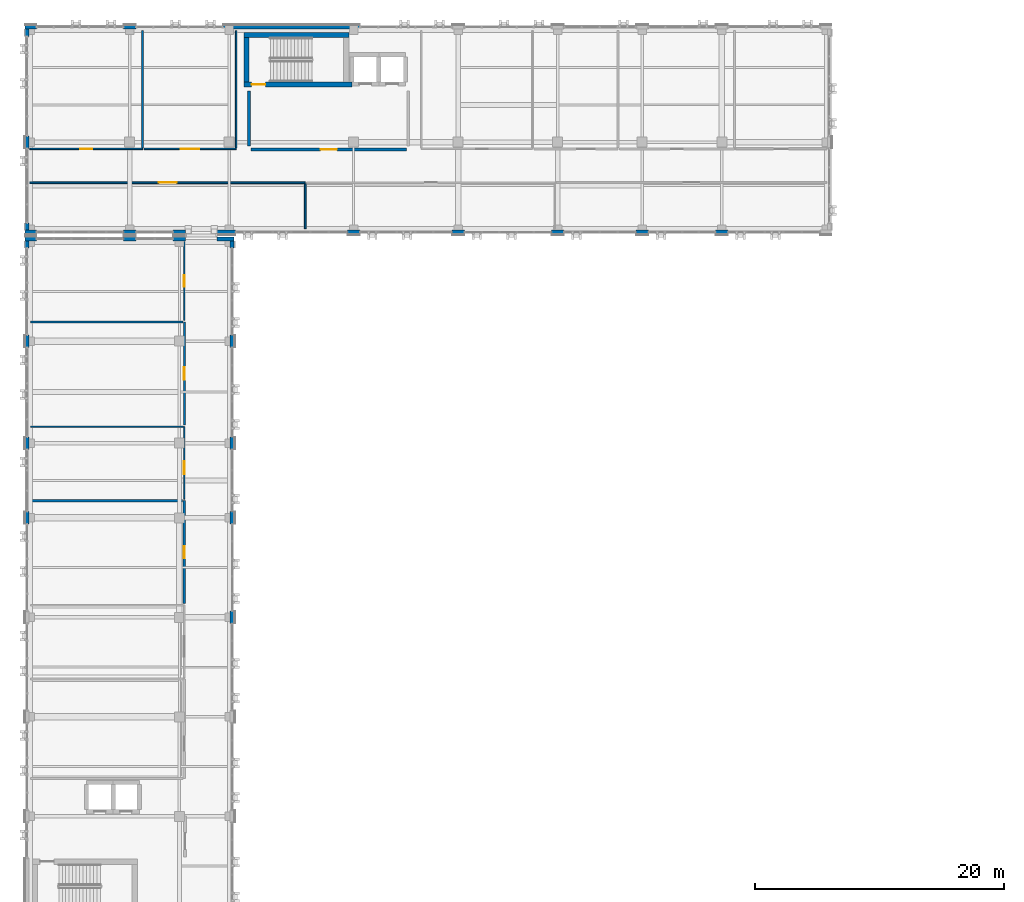
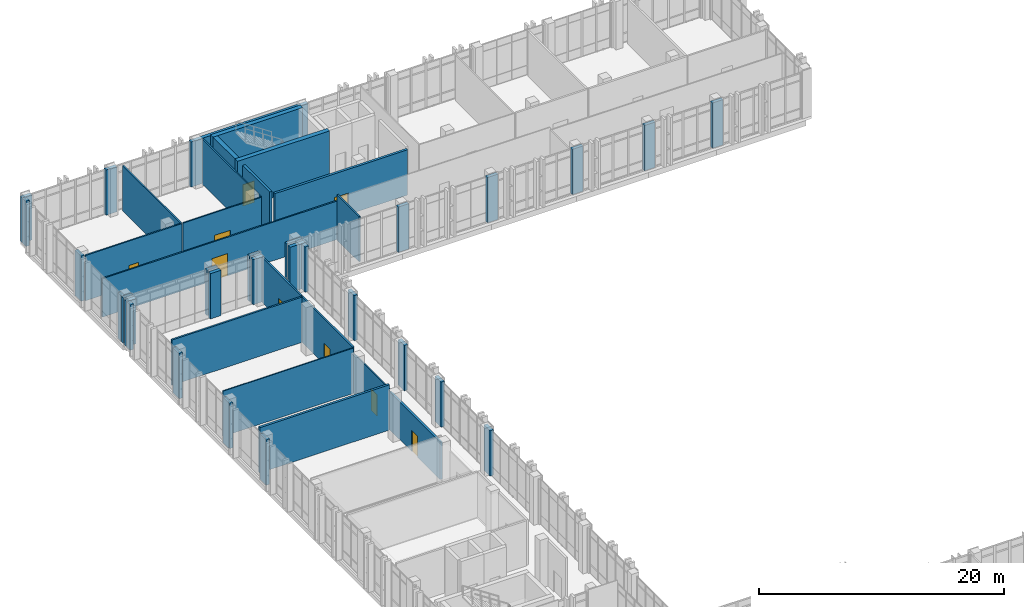
# One storey, part 156 of 189: 46 walls, 9 doors, 9 openings.
"""IFC4 building model written with IfcOpenShell, lengths in metres."""

from ifc_helpers import new_model, si_unit, direction, frame, frame_2d, origin, place, context, subcontext, project, spatial, rectangle, extrude, material, layer, layer_set, type_object, element, fill, save


model = new_model("IFC4")

# Units and contexts
model_context = context("Model", 3, precision=1e-05, world=origin(), true_north=direction((0.0, 1.0)))
body_context = subcontext(model_context, "Body", "Model", "MODEL_VIEW")
ifc_project = project(units=[si_unit("LENGTHUNIT", "METRE"), si_unit("AREAUNIT", "SQUARE_METRE"), si_unit("VOLUMEUNIT", "CUBIC_METRE"), si_unit("PLANEANGLEUNIT", "RADIAN"), si_unit("MASSUNIT", "GRAM", prefix="KILO")], contexts=[model_context])

# Site, building, storey
site_placement = place(None, origin())
site = spatial("IfcSite", under=ifc_project, at=site_placement, CompositionType="ELEMENT")
building_placement = place(site_placement, origin())
building = spatial("IfcBuilding", under=site, at=building_placement, Name="Qalavern Law Courts", CompositionType="ELEMENT")
storey_placement = place(building_placement, frame((0.0, 0.0, 5.39990234375)))
storey = spatial("IfcBuildingStorey", under=building, at=storey_placement, Name="L01", CompositionType="ELEMENT", Elevation=5.39990234375)

# Walls
ifc_material_1 = material(Name="Concrete C40/50", Category="concrete")
ifc_layer_1 = layer(ifc_material_1, 0.324951171875)
ifc_layer_set_1 = layer_set([ifc_layer_1], Name="Concrete C40/50")
wall_type_1 = type_object("IfcWallType", Name="ENV-EW-325", PredefinedType="SOLIDWALL", material=ifc_layer_set_1)
for number, where, z_axis, x_axis, name in (
    (1, (18.637451171875, 64.89990234375, 0.0), (0.0, 0.0, 1.0), (0.0, 1.0, 0.0), "V3 exterior pier wall L01 east 4"),
    (2, (18.637451171875, 72.89990234375, 0.0), (0.0, 0.0, 1.0), (0.0, 1.0, 0.0), "V3 exterior pier wall L01 east 5"),
    (3, (18.637451171875, 78.89990234375, 0.0), (0.0, 0.0, 1.0), (0.0, 1.0, 0.0), "V3 exterior pier wall L01 east 6"),
    (4, (18.637451171875, 87.10009765625, 0.0), (0.0, 0.0, 1.0), (0.0, 1.0, 0.0), "V3 exterior pier wall L01 east 7"),
):
    element("IfcWall", number, at=place(storey_placement, frame(where, z_axis=z_axis, x_axis=x_axis)), inside=storey, type_object=wall_type_1, Name=name, PredefinedType="SOLIDWALL", context=body_context, shape_type="SweptSolid", body=[
        extrude(rectangle(XDim=1.0, YDim=0.324951171875, at=frame_2d((0.5, 0.0))), origin(), (0.0, 0.0, 1.0), 4.510009765625),
    ])
wall_1_placement = place(storey_placement, frame((18.637451171875, 95.080078125, 0.0), z_axis=(0.0, 0.0, 1.0), x_axis=(0.0, 1.0, 0.0)))
element("IfcWall", 5, at=wall_1_placement, inside=storey, type_object=wall_type_1, Name="V3 exterior pier wall L01 east 8", PredefinedType="SOLIDWALL", context=body_context, shape_type="SweptSolid", body=[
    extrude(rectangle(XDim=0.579833984375, YDim=0.324951171875, at=frame_2d((0.2900390625, 0.0))), origin(), (0.0, 0.0, 1.0), 4.510009765625),
])
wall_2_placement = place(storey_placement, frame((18.800048828125, 95.8173828125, 0.0), z_axis=(0.0, 0.0, 1.0), x_axis=(-1.0, 0.0, 0.0)))
element("IfcWall", 6, at=wall_2_placement, inside=storey, type_object=wall_type_1, Name="V3 exterior wall L01 north 1", PredefinedType="SOLIDWALL", context=body_context, shape_type="SweptSolid", body=[
    extrude(rectangle(XDim=1.400146484375, YDim=0.324951171875, at=frame_2d((0.7001953125, 0.0))), origin(), (0.0, 0.0, 1.0), 4.510009765625),
])
for number, where, z_axis, x_axis, name in (
    (7, (14.89990234375, 95.8173828125, 0.0), (0.0, 0.0, 1.0), (-1.0, 0.0, 0.0), "V3 exterior pier wall L01 north 1"),
    (8, (10.89990234375, 95.8173828125, 0.0), (0.0, 0.0, 1.0), (-1.0, 0.0, 0.0), "V3 exterior pier wall L01 north 2"),
):
    element("IfcWall", number, at=place(storey_placement, frame(where, z_axis=z_axis, x_axis=x_axis)), inside=storey, type_object=wall_type_1, Name=name, PredefinedType="SOLIDWALL", context=body_context, shape_type="SweptSolid", body=[
        extrude(rectangle(XDim=1.0, YDim=0.324951171875, at=frame_2d((0.5, 0.0))), origin(), (0.0, 0.0, 1.0), 4.510009765625),
    ])
wall_3_placement = place(storey_placement, frame((2.89990234375, 95.8173828125, 0.0), z_axis=(0.0, 0.0, 1.0), x_axis=(-1.0, 0.0, 0.0)))
element("IfcWall", 9, at=wall_3_placement, inside=storey, type_object=wall_type_1, Name="V3 exterior pier wall L01 north 3", PredefinedType="SOLIDWALL", context=body_context, shape_type="SweptSolid", body=[
    extrude(rectangle(XDim=0.89990234375, YDim=0.324951171875, at=frame_2d((0.449951171875, 0.0))), origin(), (0.0, 0.0, 1.0), 4.510009765625),
])
wall_4_placement = place(storey_placement, frame((2.16259765625, 95.659912109375, 0.0), z_axis=(0.0, 0.0, 1.0), x_axis=(0.0, -1.0, 0.0)))
element("IfcWall", 10, at=wall_4_placement, inside=storey, type_object=wall_type_1, Name="V3 exterior pier wall L01 west 1", PredefinedType="SOLIDWALL", context=body_context, shape_type="SweptSolid", body=[
    extrude(rectangle(XDim=0.579833984375, YDim=0.324951171875, at=frame_2d((0.2900390625, 0.0))), origin(), (0.0, 0.0, 1.0), 4.510009765625),
])
for number, where, z_axis, x_axis, name in (
    (11, (2.16259765625, 88.10009765625, 0.0), (0.0, 0.0, 1.0), (0.0, -1.0, 0.0), "V3 exterior pier wall L01 west 2"),
    (12, (2.16259765625, 79.89990234375, 0.0), (0.0, 0.0, 1.0), (0.0, -1.0, 0.0), "V3 exterior pier wall L01 west 3"),
    (13, (2.16259765625, 73.89990234375, 0.0), (0.0, 0.0, 1.0), (0.0, -1.0, 0.0), "V3 exterior pier wall L01 west 4"),
):
    element("IfcWall", number, at=place(storey_placement, frame(where, z_axis=z_axis, x_axis=x_axis)), inside=storey, type_object=wall_type_1, Name=name, PredefinedType="SOLIDWALL", context=body_context, shape_type="SweptSolid", body=[
        extrude(rectangle(XDim=1.0, YDim=0.324951171875, at=frame_2d((0.5, 0.0))), origin(), (0.0, 0.0, 1.0), 4.510009765625),
    ])
wall_5_placement = place(storey_placement, frame((2.0, 96.362548828125, 0.0), z_axis=(0.0, 0.0, 1.0), x_axis=(1.0, 0.0, 0.0)))
element("IfcWall", 14, at=wall_5_placement, inside=storey, type_object=wall_type_1, Name="V5 exterior pier wall L01 south 1", PredefinedType="SOLIDWALL", context=body_context, shape_type="SweptSolid", body=[
    extrude(rectangle(XDim=0.89990234375, YDim=0.324951171875, at=frame_2d((0.449951171875, 0.0))), origin(), (0.0, 0.0, 1.0), 4.510009765625),
])
for number, where, z_axis, x_axis, name in (
    (15, (9.89990234375, 96.362548828125, 0.0), (0.0, 0.0, 1.0), (1.0, 0.0, 0.0), "V5 exterior pier wall L01 south 2"),
    (16, (13.89990234375, 96.362548828125, 0.0), (0.0, 0.0, 1.0), (1.0, 0.0, 0.0), "V5 exterior pier wall L01 south 3"),
):
    element("IfcWall", number, at=place(storey_placement, frame(where, z_axis=z_axis, x_axis=x_axis)), inside=storey, type_object=wall_type_1, Name=name, PredefinedType="SOLIDWALL", context=body_context, shape_type="SweptSolid", body=[
        extrude(rectangle(XDim=1.0, YDim=0.324951171875, at=frame_2d((0.5, 0.0))), origin(), (0.0, 0.0, 1.0), 4.510009765625),
    ])
wall_6_placement = place(storey_placement, frame((17.39990234375, 96.362548828125, 0.0), z_axis=(0.0, 0.0, 1.0), x_axis=(1.0, 0.0, 0.0)))
element("IfcWall", 17, at=wall_6_placement, inside=storey, type_object=wall_type_1, Name="V5 exterior pier wall L01 south 1", PredefinedType="SOLIDWALL", context=body_context, shape_type="SweptSolid", body=[
    extrude(rectangle(XDim=1.5, YDim=0.324951171875, at=frame_2d((0.75, 0.0))), origin(), (0.0, 0.0, 1.0), 4.510009765625),
])
for number, where, z_axis, x_axis, name in (
    (18, (27.89990234375, 96.362548828125, 0.0), (0.0, 0.0, 1.0), (1.0, 0.0, 0.0), "V5 exterior pier wall L01 south 2"),
    (19, (36.300048828125, 96.362548828125, 0.0), (0.0, 0.0, 1.0), (1.0, 0.0, 0.0), "V5 exterior pier wall L01 south 3"),
    (20, (44.300048828125, 96.362548828125, 0.0), (0.0, 0.0, 1.0), (1.0, 0.0, 0.0), "V5 exterior pier wall L01 south 4"),
    (21, (51.10009765625, 96.362548828125, 0.0), (0.0, 0.0, 1.0), (1.0, 0.0, 0.0), "V5 exterior pier wall L01 south 5"),
    (22, (57.5, 96.362548828125, 0.0), (0.0, 0.0, 1.0), (1.0, 0.0, 0.0), "V5 exterior pier wall L01 south 6"),
):
    element("IfcWall", number, at=place(storey_placement, frame(where, z_axis=z_axis, x_axis=x_axis)), inside=storey, type_object=wall_type_1, Name=name, PredefinedType="SOLIDWALL", context=body_context, shape_type="SweptSolid", body=[
        extrude(rectangle(XDim=1.0, YDim=0.324951171875, at=frame_2d((0.5, 0.0))), origin(), (0.0, 0.0, 1.0), 4.510009765625),
    ])
wall_7_placement = place(storey_placement, frame((28.89990234375, 112.83740234375, 0.0), z_axis=(0.0, 0.0, 1.0), x_axis=(-1.0, 0.0, 0.0)))
element("IfcWall", 23, at=wall_7_placement, inside=storey, type_object=wall_type_1, Name="V5 exterior pier wall L01 north 6", PredefinedType="SOLIDWALL", context=body_context, shape_type="SweptSolid", body=[
    extrude(rectangle(XDim=11.0, YDim=0.324951171875, at=frame_2d((5.5, 0.0))), origin(), (0.0, 0.0, 1.0), 4.510009765625),
])
wall_8_placement = place(storey_placement, frame((10.89990234375, 112.83740234375, 0.0), z_axis=(0.0, 0.0, 1.0), x_axis=(-1.0, 0.0, 0.0)))
element("IfcWall", 24, at=wall_8_placement, inside=storey, type_object=wall_type_1, Name="V5 exterior pier wall L01 north 7", PredefinedType="SOLIDWALL", context=body_context, shape_type="SweptSolid", body=[
    extrude(rectangle(XDim=1.0, YDim=0.324951171875, at=frame_2d((0.5, 0.0))), origin(), (0.0, 0.0, 1.0), 4.510009765625),
])
wall_9_placement = place(storey_placement, frame((2.89990234375, 112.83740234375, 0.0), z_axis=(0.0, 0.0, 1.0), x_axis=(-1.0, 0.0, 0.0)))
element("IfcWall", 25, at=wall_9_placement, inside=storey, type_object=wall_type_1, Name="V5 exterior pier wall L01 north 8", PredefinedType="SOLIDWALL", context=body_context, shape_type="SweptSolid", body=[
    extrude(rectangle(XDim=0.89990234375, YDim=0.324951171875, at=frame_2d((0.449951171875, 0.0))), origin(), (0.0, 0.0, 1.0), 4.510009765625),
])
wall_10_placement = place(storey_placement, frame((2.16259765625, 112.679931640625, 0.0), z_axis=(0.0, 0.0, 1.0), x_axis=(0.0, -1.0, 0.0)))
element("IfcWall", 26, at=wall_10_placement, inside=storey, type_object=wall_type_1, Name="V5 exterior pier wall L01 west 1", PredefinedType="SOLIDWALL", context=body_context, shape_type="SweptSolid", body=[
    extrude(rectangle(XDim=0.579833984375, YDim=0.324951171875, at=frame_2d((0.2900390625, 0.0))), origin(), (0.0, 0.0, 1.0), 4.510009765625),
])
wall_11_placement = place(storey_placement, frame((2.16259765625, 104.10009765625, 0.0), z_axis=(0.0, 0.0, 1.0), x_axis=(0.0, -1.0, 0.0)))
element("IfcWall", 27, at=wall_11_placement, inside=storey, type_object=wall_type_1, Name="V5 exterior pier wall L01 west 2", PredefinedType="SOLIDWALL", context=body_context, shape_type="SweptSolid", body=[
    extrude(rectangle(XDim=1.0, YDim=0.324951171875, at=frame_2d((0.5, 0.0))), origin(), (0.0, 0.0, 1.0), 4.510009765625),
])
wall_12_placement = place(storey_placement, frame((2.16259765625, 97.10009765625, 0.0), z_axis=(0.0, 0.0, 1.0), x_axis=(0.0, -1.0, 0.0)))
element("IfcWall", 28, at=wall_12_placement, inside=storey, type_object=wall_type_1, Name="V5 exterior pier wall L01 west 3", PredefinedType="SOLIDWALL", context=body_context, shape_type="SweptSolid", body=[
    extrude(rectangle(XDim=0.580078125, YDim=0.324951171875, at=frame_2d((0.2900390625, 0.0))), origin(), (0.0, 0.0, 1.0), 4.510009765625),
])

# Wall, opening, door
ifc_material_2 = material(Name="Concrete C45/55", Category="concrete")
ifc_layer_2 = layer(ifc_material_2, 0.4150390625)
ifc_layer_set_2 = layer_set([ifc_layer_2], Name="Concrete C45/55")
wall_type_2 = type_object("IfcWallType", Name="INT-CW-415", PredefinedType="SHEAR", material=ifc_layer_set_2)
wall_13_placement = place(storey_placement, frame((19.5849609375, 108.242431640625, 0.0), z_axis=(0.0, 0.0, 1.0), x_axis=(1.0, 0.0, 0.0)))
wall_13 = element("IfcWall", 29, at=wall_13_placement, inside=storey, type_object=wall_type_2, Name="Core K3 stair shear wall L01 south", PredefinedType="SHEAR", context=body_context, shape_type="SweptSolid", body=[
    extrude(rectangle(XDim=8.689453125, YDim=0.4150390625, at=frame_2d((4.3447265625, 0.0))), origin(), (0.0, 0.0, 1.0), 4.800048828125),
])
opening_1_placement = place(wall_13_placement, frame((0.614990234375, 0.0, 0.0)))
opening_1 = element("IfcOpeningElement", 30, at=opening_1_placement, cuts=wall_13, Name="Opening L01-D075", PredefinedType="OPENING", context=body_context, shape_type="SweptSolid", body=[
    extrude(rectangle(XDim=1.10009765625, YDim=2.14990234375, at=frame_2d((0.550048828125, 1.074951171875))), frame((0.0, 0.222412109375, 0.0), z_axis=(0.0, -1.0, 0.0), x_axis=(1.0, 0.0, 0.0)), (0.0, 0.0, 1.0), 0.44482421875),
])
ifc_material_3 = material(Name="Steel fire-rated stair enclosure door", Category="steel")
door_type_1 = type_object("IfcDoorType", Name="INT-FD-1100x2150", OperationType="NOTDEFINED", PredefinedType="DOOR", material=ifc_material_3)
door_1_placement = place(opening_1_placement, frame((1.10009765625, 0.0, 0.0), z_axis=(0.0, 0.0, 1.0), x_axis=(-1.0, 0.0, 0.0)))
door_1 = element("IfcDoor", 31, at=door_1_placement, inside=storey, type_object=door_type_1, Name="Stair K3 fire door L01", OperationType="SINGLE_SWING_RIGHT", OverallHeight=2.14990234375, OverallWidth=1.10009765625, PredefinedType="DOOR", context=body_context, shape_type="SweptSolid", body=[
    extrude(rectangle(XDim=1.10009765625, YDim=2.14990234375, at=frame_2d((0.550048828125, 1.074951171875))), frame((0.0, 0.02490234375, 0.0), z_axis=(0.0, -1.0, 0.0), x_axis=(1.0, 0.0, 0.0)), (0.0, 0.0, 1.0), 0.050048828125),
])
fill(opening_1, door_1)

# Walls
wall_14_placement = place(storey_placement, frame((28.014892578125, 112.20751953125, 0.0), z_axis=(0.0, 0.0, 1.0), x_axis=(-1.0, 0.0, 0.0)))
element("IfcWall", 32, at=wall_14_placement, inside=storey, type_object=wall_type_2, Name="Core K3 stair shear wall L01 north", PredefinedType="SHEAR", context=body_context, shape_type="SweptSolid", body=[
    extrude(rectangle(XDim=8.429931640625, YDim=0.4150390625, at=frame_2d((4.21484375, 0.0))), origin(), (0.0, 0.0, 1.0), 4.800048828125),
])
wall_15_placement = place(storey_placement, frame((19.79248046875, 112.0, 0.0), z_axis=(0.0, 0.0, 1.0), x_axis=(0.0, -1.0, 0.0)))
element("IfcWall", 33, at=wall_15_placement, inside=storey, type_object=wall_type_2, Name="Core K3 stair shear wall L01 west", PredefinedType="SHEAR", context=body_context, shape_type="SweptSolid", body=[
    extrude(rectangle(XDim=3.550048828125, YDim=0.4150390625, at=frame_2d((1.77490234375, 0.0))), origin(), (0.0, 0.0, 1.0), 4.800048828125),
])

# Wall, opening, door
ifc_layer_3 = layer(ifc_material_1, 0.22509765625)
ifc_layer_set_3 = layer_set([ifc_layer_3], Name="Concrete C40/50")
wall_type_3 = type_object("IfcWallType", Name="INT-FW-225", PredefinedType="PARTITIONING", material=ifc_layer_set_3)
wall_16_placement = place(storey_placement, frame((20.14990234375, 103.0, 0.0), z_axis=(0.0, 0.0, 1.0), x_axis=(1.0, 0.0, 0.0)))
wall_16 = element("IfcWall", 34, at=wall_16_placement, inside=storey, type_object=wall_type_3, Name="Core K3 firefighting/stair lobby fire wall L01", PredefinedType="PARTITIONING", context=body_context, shape_type="SweptSolid", body=[
    extrude(rectangle(XDim=12.5, YDim=0.22509765625, at=frame_2d((6.25, 0.0))), origin(), (0.0, 0.0, 1.0), 4.510009765625),
])
opening_2_placement = place(wall_16_placement, frame((5.60009765625, 0.0, 0.0)))
opening_2 = element("IfcOpeningElement", 35, at=opening_2_placement, cuts=wall_16, Name="Opening L01-D076", PredefinedType="OPENING", context=body_context, shape_type="SweptSolid", body=[
    extrude(rectangle(XDim=1.300048828125, YDim=2.14990234375, at=frame_2d((0.64990234375, 1.074951171875))), frame((0.0, 0.12744140625, 0.0), z_axis=(0.0, -1.0, 0.0), x_axis=(1.0, 0.0, 0.0)), (0.0, 0.0, 1.0), 0.2548828125),
])
ifc_material_4 = material(Name="Steel fire-rated frame and acoustic timber leaves", Category="steel")
door_type_2 = type_object("IfcDoorType", Name="INT-FD-1300x2150", OperationType="DOUBLE_DOOR_SINGLE_SWING", PredefinedType="DOOR", material=ifc_material_4)
door_2_placement = place(opening_2_placement, origin())
door_2 = element("IfcDoor", 36, at=door_2_placement, inside=storey, type_object=door_type_2, Name="Core K3 lobby fire door L01", OperationType="DOUBLE_DOOR_SINGLE_SWING", OverallHeight=2.14990234375, OverallWidth=1.300048828125, PredefinedType="DOOR", context=body_context, shape_type="SweptSolid", body=[
    extrude(rectangle(XDim=1.300048828125, YDim=2.14990234375, at=frame_2d((0.64990234375, 1.074951171875))), frame((0.0, 0.02490234375, 0.0), z_axis=(0.0, -1.0, 0.0), x_axis=(1.0, 0.0, 0.0)), (0.0, 0.0, 1.0), 0.050048828125),
])
fill(opening_2, door_2)

# Wall
wall_17_placement = place(storey_placement, frame((20.0, 103.300048828125, 0.0), z_axis=(0.0, 0.0, 1.0), x_axis=(0.0, 1.0, 0.0)))
element("IfcWall", 37, at=wall_17_placement, inside=storey, type_object=wall_type_3, Name="Core K3 lobby return wall L01 west", PredefinedType="PARTITIONING", context=body_context, shape_type="SweptSolid", body=[
    extrude(rectangle(XDim=4.39990234375, YDim=0.22509765625, at=frame_2d((2.199951171875, 0.0))), origin(), (0.0, 0.0, 1.0), 4.510009765625),
])

# Wall, opening, door
ifc_material_5 = material(Name="Gypsum sanitary partition")
ifc_layer_4 = layer(ifc_material_5, 0.10205078125)
ifc_layer_set_4 = layer_set([ifc_layer_4], Name="Gypsum sanitary partition")
wall_type_4 = type_object("IfcWallType", Name="INT-PW-102", PredefinedType="PARTITIONING", material=ifc_layer_set_4)
wall_18_placement = place(storey_placement, frame((14.7900390625, 74.905029296875, 0.0), z_axis=(0.0, 0.0, 1.0), x_axis=(0.0, 1.0, 0.0)))
wall_18 = element("IfcWall", 38, at=wall_18_placement, inside=storey, type_object=wall_type_4, Name="Jury Deliberation Suite corridor partition L01", PredefinedType="PARTITIONING", context=body_context, shape_type="SweptSolid", body=[
    extrude(rectangle(XDim=5.81591796875, YDim=0.10205078125, at=frame_2d((2.907958984375, 0.0))), origin(), (0.0, 0.0, 1.0), 3.940185546875),
])
opening_3_placement = place(wall_18_placement, frame((1.992919921875, 0.0, 0.0)))
opening_3 = element("IfcOpeningElement", 39, at=opening_3_placement, cuts=wall_18, Name="Opening L01-D213", PredefinedType="OPENING", context=body_context, shape_type="SweptSolid", body=[
    extrude(rectangle(XDim=1.030029296875, YDim=2.110107421875, at=frame_2d((0.51513671875, 1.05517578125))), frame((0.0, 0.06591796875, 0.0), z_axis=(0.0, -1.0, 0.0), x_axis=(1.0, 0.0, 0.0)), (0.0, 0.0, 1.0), 0.1318359375),
])
ifc_material_6 = material(Name="Oak Mediation Suite door")
door_type_3 = type_object("IfcDoorType", Name="INT-ID-1030x2110", OperationType="NOTDEFINED", PredefinedType="DOOR", material=ifc_material_6)
door_3_placement = place(opening_3_placement, frame((1.030029296875, 0.0, 0.0), z_axis=(0.0, 0.0, 1.0), x_axis=(-1.0, 0.0, 0.0)))
door_3 = element("IfcDoor", 40, at=door_3_placement, inside=storey, type_object=door_type_3, Name="Jury Deliberation Suite door L01", OperationType="SINGLE_SWING_LEFT", OverallHeight=2.110107421875, OverallWidth=1.030029296875, PredefinedType="DOOR", context=body_context, shape_type="SweptSolid", body=[
    extrude(rectangle(XDim=1.030029296875, YDim=2.110107421875, at=frame_2d((0.51513671875, 1.05517578125))), frame((0.0, 0.02490234375, 0.0), z_axis=(0.0, -1.0, 0.0), x_axis=(1.0, 0.0, 0.0)), (0.0, 0.0, 1.0), 0.050048828125),
])
fill(opening_3, door_3)

# Wall
wall_19_placement = place(storey_placement, frame((2.43994140625, 80.720947265625, 0.0), z_axis=(0.0, 0.0, 1.0), x_axis=(1.0, 0.0, 0.0)))
element("IfcWall", 41, at=wall_19_placement, inside=storey, type_object=wall_type_4, Name="Jury Deliberation Suite cross partition L01 north", PredefinedType="PARTITIONING", context=body_context, shape_type="SweptSolid", body=[
    extrude(rectangle(XDim=12.279052734375, YDim=0.10205078125, at=frame_2d((6.1396484375, 0.0))), origin(), (0.0, 0.0, 1.0), 4.510009765625),
])

# Wall, opening, door
ifc_material_7 = material(Name="Gypsum stud partition")
ifc_layer_5 = layer(ifc_material_7, 0.1220703125)
ifc_layer_set_5 = layer_set([ifc_layer_5], Name="Gypsum stud partition")
wall_type_5 = type_object("IfcWallType", Name="INT-PW-122", PredefinedType="PARTITIONING", material=ifc_layer_set_5)
wall_20_placement = place(storey_placement, frame((11.554931640625, 103.06005859375, 0.0), z_axis=(0.0, 0.0, 1.0), x_axis=(1.0, 0.0, 0.0)))
wall_20 = element("IfcWall", 42, at=wall_20_placement, inside=storey, type_object=wall_type_5, Name="Law Library Reading Room corridor partition L01", PredefinedType="PARTITIONING", context=body_context, shape_type="SweptSolid", body=[
    extrude(rectangle(XDim=7.405029296875, YDim=0.1220703125, at=frame_2d((3.70263671875, 0.0))), origin(), (0.0, 0.0, 1.0), 4.510009765625),
])
opening_4_placement = place(wall_20_placement, frame((2.952392578125, 0.0, 0.0)))
opening_4 = element("IfcOpeningElement", 43, at=opening_4_placement, cuts=wall_20, Name="Opening L01-D358", PredefinedType="OPENING", context=body_context, shape_type="SweptSolid", body=[
    extrude(rectangle(XDim=1.5, YDim=2.25, at=frame_2d((0.75, 1.125))), frame((0.0, 0.075927734375, 0.0), z_axis=(0.0, -1.0, 0.0), x_axis=(1.0, 0.0, 0.0)), (0.0, 0.0, 1.0), 0.15185546875),
])
ifc_material_8 = material(Name="Acoustic oak double Jury Assembly door")
door_type_4 = type_object("IfcDoorType", Name="INT-ID-1500x2250", OperationType="DOUBLE_DOOR_SINGLE_SWING", PredefinedType="DOOR", material=ifc_material_8)
door_4_placement = place(opening_4_placement, origin())
door_4 = element("IfcDoor", 44, at=door_4_placement, inside=storey, type_object=door_type_4, Name="Law Library Reading Room door L01", OperationType="DOUBLE_DOOR_SINGLE_SWING", OverallHeight=2.25, OverallWidth=1.5, PredefinedType="DOOR", context=body_context, shape_type="SweptSolid", body=[
    extrude(rectangle(XDim=1.5, YDim=2.25, at=frame_2d((0.75, 1.125))), frame((0.0, 0.02490234375, 0.0), z_axis=(0.0, -1.0, 0.0), x_axis=(1.0, 0.0, 0.0)), (0.0, 0.0, 1.0), 0.050048828125),
])
fill(opening_4, door_4)

# Wall
wall_21_placement = place(storey_placement, frame((18.9599609375, 103.14111328125, 0.0), z_axis=(0.0, 0.0, 1.0), x_axis=(0.0, 1.0, 0.0)))
element("IfcWall", 45, at=wall_21_placement, inside=storey, type_object=wall_type_5, Name="Law Library Reading Room cross partition L01 east", PredefinedType="PARTITIONING", context=body_context, shape_type="SweptSolid", body=[
    extrude(rectangle(XDim=9.4189453125, YDim=0.1220703125, at=frame_2d((4.70947265625, 0.0))), origin(), (0.0, 0.0, 1.0), 4.510009765625),
])

# Wall, opening, door
ifc_layer_6 = layer(ifc_material_7, 0.132080078125)
ifc_layer_set_6 = layer_set([ifc_layer_6], Name="Gypsum stud partition")
wall_type_6 = type_object("IfcWallType", Name="INT-PW-132", PredefinedType="PARTITIONING", material=ifc_layer_set_6)
wall_22_placement = place(storey_placement, frame((2.3798828125, 100.340087890625, 0.0), z_axis=(0.0, 0.0, 1.0), x_axis=(1.0, 0.0, 0.0)))
wall_22 = element("IfcWall", 46, at=wall_22_placement, inside=storey, type_object=wall_type_6, Name="Law Library Reading Room corridor partition L01", PredefinedType="PARTITIONING", context=body_context, shape_type="SweptSolid", body=[
    extrude(rectangle(XDim=22.132080078125, YDim=0.132080078125, at=frame_2d((11.06591796875, 0.0))), origin(), (0.0, 0.0, 1.0), 3.840087890625),
])
opening_5_placement = place(wall_22_placement, frame((10.341064453125, 0.0, 0.0)))
opening_5 = element("IfcOpeningElement", 47, at=opening_5_placement, cuts=wall_22, Name="Opening L01-D350", PredefinedType="OPENING", context=body_context, shape_type="SweptSolid", body=[
    extrude(rectangle(XDim=1.449951171875, YDim=2.219970703125, at=frame_2d((0.72509765625, 1.10986328125))), frame((0.0, 0.0810546875, 0.0), z_axis=(0.0, -1.0, 0.0), x_axis=(1.0, 0.0, 0.0)), (0.0, 0.0, 1.0), 0.161865234375),
])
ifc_material_9 = material(Name="Oak double Law Library Reading Room door")
door_type_5 = type_object("IfcDoorType", Name="INT-ID-1450x2220", OperationType="DOUBLE_DOOR_SINGLE_SWING", PredefinedType="DOOR", material=ifc_material_9)
door_5_placement = place(opening_5_placement, frame((1.449951171875, 0.0, 0.0), z_axis=(0.0, 0.0, 1.0), x_axis=(-1.0, 0.0, 0.0)))
door_5 = element("IfcDoor", 48, at=door_5_placement, inside=storey, type_object=door_type_5, Name="Law Library Reading Room door L01", OperationType="DOUBLE_DOOR_SINGLE_SWING", OverallHeight=2.219970703125, OverallWidth=1.449951171875, PredefinedType="DOOR", context=body_context, shape_type="SweptSolid", body=[
    extrude(rectangle(XDim=1.449951171875, YDim=2.219970703125, at=frame_2d((0.72509765625, 1.10986328125))), frame((0.0, 0.02490234375, 0.0), z_axis=(0.0, -1.0, 0.0), x_axis=(1.0, 0.0, 0.0)), (0.0, 0.0, 1.0), 0.050048828125),
])
fill(opening_5, door_5)

# Wall
wall_23_placement = place(storey_placement, frame((24.511962890625, 96.639892578125, 0.0), z_axis=(0.0, 0.0, 1.0), x_axis=(0.0, 1.0, 0.0)))
element("IfcWall", 49, at=wall_23_placement, inside=storey, type_object=wall_type_6, Name="Law Library Reading Room cross partition L01 east", PredefinedType="PARTITIONING", context=body_context, shape_type="SweptSolid", body=[
    extrude(rectangle(XDim=3.614013671875, YDim=0.132080078125, at=frame_2d((1.80712890625, 0.0))), origin(), (0.0, 0.0, 1.0), 4.510009765625),
])

# Wall, opening, door
wall_24_placement = place(storey_placement, frame((2.3798828125, 103.06005859375, 0.0), z_axis=(0.0, 0.0, 1.0), x_axis=(1.0, 0.0, 0.0)))
wall_24 = element("IfcWall", 50, at=wall_24_placement, inside=storey, type_object=wall_type_6, Name="Accessible WC corridor partition L01", PredefinedType="PARTITIONING", context=body_context, shape_type="SweptSolid", body=[
    extrude(rectangle(XDim=9.05517578125, YDim=0.132080078125, at=frame_2d((4.527587890625, 0.0))), origin(), (0.0, 0.0, 1.0), 4.510009765625),
])
opening_6_placement = place(wall_24_placement, frame((4.0576171875, 0.0, 0.0)))
opening_6 = element("IfcOpeningElement", 51, at=opening_6_placement, cuts=wall_24, Name="Opening L01-D357", PredefinedType="OPENING", context=body_context, shape_type="SweptSolid", body=[
    extrude(rectangle(XDim=0.93994140625, YDim=2.070068359375, at=frame_2d((0.469970703125, 1.03515625))), frame((0.0, 0.0810546875, 0.0), z_axis=(0.0, -1.0, 0.0), x_axis=(1.0, 0.0, 0.0)), (0.0, 0.0, 1.0), 0.161865234375),
])
ifc_material_10 = material(Name="Accessible WC outward-clear door")
door_type_6 = type_object("IfcDoorType", Name="INT-ID-940x2070", OperationType="NOTDEFINED", PredefinedType="DOOR", material=ifc_material_10)
door_6_placement = place(opening_6_placement, origin())
door_6 = element("IfcDoor", 52, at=door_6_placement, inside=storey, type_object=door_type_6, Name="Accessible WC door L01", OperationType="SINGLE_SWING_RIGHT", OverallHeight=2.070068359375, OverallWidth=0.93994140625, PredefinedType="DOOR", context=body_context, shape_type="SweptSolid", body=[
    extrude(rectangle(XDim=0.93994140625, YDim=2.070068359375, at=frame_2d((0.469970703125, 1.03515625))), frame((0.0, 0.02490234375, 0.0), z_axis=(0.0, -1.0, 0.0), x_axis=(1.0, 0.0, 0.0)), (0.0, 0.0, 1.0), 0.050048828125),
])
fill(opening_6, door_6)

# Wall
wall_25_placement = place(storey_placement, frame((11.43505859375, 103.14599609375, 0.0), z_axis=(0.0, 0.0, 1.0), x_axis=(0.0, 1.0, 0.0)))
element("IfcWall", 53, at=wall_25_placement, inside=storey, type_object=wall_type_6, Name="Accessible WC cross partition L01 east", PredefinedType="PARTITIONING", context=body_context, shape_type="SweptSolid", body=[
    extrude(rectangle(XDim=9.4140625, YDim=0.132080078125, at=frame_2d((4.70703125, 0.0))), origin(), (0.0, 0.0, 1.0), 4.510009765625),
])

# Wall, opening, door
ifc_layer_7 = layer(ifc_material_7, 0.152099609375)
ifc_layer_set_7 = layer_set([ifc_layer_7], Name="Gypsum stud partition")
wall_type_7 = type_object("IfcWallType", Name="INT-PW-152", PredefinedType="PARTITIONING", material=ifc_layer_set_7)
wall_26_placement = place(storey_placement, frame((14.7900390625, 89.251953125, 0.0), z_axis=(0.0, 0.0, 1.0), x_axis=(0.0, 1.0, 0.0)))
wall_26 = element("IfcWall", 54, at=wall_26_placement, inside=storey, type_object=wall_type_7, Name="Public WC corridor partition L01", PredefinedType="PARTITIONING", context=body_context, shape_type="SweptSolid", body=[
    extrude(rectangle(XDim=6.34814453125, YDim=0.152099609375, at=frame_2d((3.174072265625, 0.0))), origin(), (0.0, 0.0, 1.0), 4.510009765625),
])
opening_7_placement = place(wall_26_placement, frame((2.7041015625, 0.0, 0.0)))
opening_7 = element("IfcOpeningElement", 55, at=opening_7_placement, cuts=wall_26, Name="Opening L01-D215", PredefinedType="OPENING", context=body_context, shape_type="SweptSolid", body=[
    extrude(rectangle(XDim=0.93994140625, YDim=2.070068359375, at=frame_2d((0.469970703125, 1.03515625))), frame((0.0, 0.0908203125, 0.0), z_axis=(0.0, -1.0, 0.0), x_axis=(1.0, 0.0, 0.0)), (0.0, 0.0, 1.0), 0.181884765625),
])
door_7_placement = place(opening_7_placement, frame((0.93994140625, 0.0, 0.0), z_axis=(0.0, 0.0, 1.0), x_axis=(-1.0, 0.0, 0.0)))
door_7 = element("IfcDoor", 56, at=door_7_placement, inside=storey, type_object=door_type_6, Name="Public WC door L01", OperationType="SINGLE_SWING_LEFT", OverallHeight=2.070068359375, OverallWidth=0.93994140625, PredefinedType="DOOR", context=body_context, shape_type="SweptSolid", body=[
    extrude(rectangle(XDim=0.93994140625, YDim=2.070068359375, at=frame_2d((0.469970703125, 1.03515625))), frame((0.0, 0.02490234375, 0.0), z_axis=(0.0, -1.0, 0.0), x_axis=(1.0, 0.0, 0.0)), (0.0, 0.0, 1.0), 0.050048828125),
])
fill(opening_7, door_7)

ifc_layer_8 = layer(ifc_material_7, 0.162109375)
ifc_layer_set_8 = layer_set([ifc_layer_8], Name="Gypsum stud partition")
wall_type_8 = type_object("IfcWallType", Name="INT-PW-162", PredefinedType="PARTITIONING", material=ifc_layer_set_8)
wall_27_placement = place(storey_placement, frame((14.7900390625, 80.841064453125, 0.0), z_axis=(0.0, 0.0, 1.0), x_axis=(0.0, 1.0, 0.0)))
wall_27 = element("IfcWall", 57, at=wall_27_placement, inside=storey, type_object=wall_type_8, Name="Witness Waiting Room corridor partition L01", PredefinedType="PARTITIONING", context=body_context, shape_type="SweptSolid", body=[
    extrude(rectangle(XDim=8.291015625, YDim=0.162109375, at=frame_2d((4.1455078125, 0.0))), origin(), (0.0, 0.0, 1.0), 4.510009765625),
])
opening_8_placement = place(wall_27_placement, frame((3.6455078125, 0.0, 0.0)))
opening_8 = element("IfcOpeningElement", 58, at=opening_8_placement, cuts=wall_27, Name="Opening L01-D214", PredefinedType="OPENING", context=body_context, shape_type="SweptSolid", body=[
    extrude(rectangle(XDim=1.0, YDim=2.10009765625, at=frame_2d((0.5, 1.050048828125))), frame((0.0, 0.095947265625, 0.0), z_axis=(0.0, -1.0, 0.0), x_axis=(1.0, 0.0, 0.0)), (0.0, 0.0, 1.0), 0.19189453125),
])
ifc_material_11 = material(Name="Timber Judicial Clerks' Office door", Category="wood")
door_type_7 = type_object("IfcDoorType", Name="INT-ID-1000x2100", OperationType="NOTDEFINED", PredefinedType="DOOR", material=ifc_material_11)
door_8_placement = place(opening_8_placement, frame((1.0, 0.0, 0.0), z_axis=(0.0, 0.0, 1.0), x_axis=(-1.0, 0.0, 0.0)))
door_8 = element("IfcDoor", 59, at=door_8_placement, inside=storey, type_object=door_type_7, Name="Witness Waiting Room door L01", OperationType="SINGLE_SWING_RIGHT", OverallHeight=2.10009765625, OverallWidth=1.0, PredefinedType="DOOR", context=body_context, shape_type="SweptSolid", body=[
    extrude(rectangle(XDim=1.0, YDim=2.10009765625, at=frame_2d((0.5, 1.050048828125))), frame((0.0, 0.02490234375, 0.0), z_axis=(0.0, -1.0, 0.0), x_axis=(1.0, 0.0, 0.0)), (0.0, 0.0, 1.0), 0.050048828125),
])
fill(opening_8, door_8)

# Wall
wall_28_placement = place(storey_placement, frame((2.43994140625, 89.132080078125, 0.0), z_axis=(0.0, 0.0, 1.0), x_axis=(1.0, 0.0, 0.0)))
element("IfcWall", 60, at=wall_28_placement, inside=storey, type_object=wall_type_8, Name="Witness Waiting Room cross partition L01 north", PredefinedType="PARTITIONING", context=body_context, shape_type="SweptSolid", body=[
    extrude(rectangle(XDim=12.2490234375, YDim=0.162109375, at=frame_2d((6.12451171875, 0.0))), origin(), (0.0, 0.0, 1.0), 4.510009765625),
])

# Wall, opening, door
ifc_material_12 = material(Name="Gypsum acoustic double-stud partition")
ifc_layer_9 = layer(ifc_material_12, 0.2119140625)
ifc_layer_set_9 = layer_set([ifc_layer_9], Name="Gypsum acoustic double-stud partition")
wall_type_9 = type_object("IfcWallType", Name="INT-PW-212", PredefinedType="PARTITIONING", material=ifc_layer_set_9)
wall_29_placement = place(storey_placement, frame((14.7900390625, 66.493896484375, 0.0), z_axis=(0.0, 0.0, 1.0), x_axis=(0.0, 1.0, 0.0)))
wall_29 = element("IfcWall", 61, at=wall_29_placement, inside=storey, type_object=wall_type_9, Name="Custody Holding Cell corridor partition L01", PredefinedType="PARTITIONING", context=body_context, shape_type="SweptSolid", body=[
    extrude(rectangle(XDim=8.291015625, YDim=0.2119140625, at=frame_2d((4.1455078125, 0.0))), origin(), (0.0, 0.0, 1.0), 3.739990234375),
])
opening_9_placement = place(wall_29_placement, frame((3.67041015625, 0.0, 0.0)))
opening_9 = element("IfcOpeningElement", 62, at=opening_9_placement, cuts=wall_29, Name="Opening L01-D212", PredefinedType="OPENING", context=body_context, shape_type="SweptSolid", body=[
    extrude(rectangle(XDim=0.949951171875, YDim=2.1201171875, at=frame_2d((0.47509765625, 1.06005859375))), frame((0.0, 0.120849609375, 0.0), z_axis=(0.0, -1.0, 0.0), x_axis=(1.0, 0.0, 0.0)), (0.0, 0.0, 1.0), 0.24169921875),
])
ifc_material_13 = material(Name="Heavy steel Custody Holding Cell door", Category="steel")
door_type_8 = type_object("IfcDoorType", Name="INT-ID-950x2120", OperationType="NOTDEFINED", PredefinedType="DOOR", material=ifc_material_13)
door_9_placement = place(opening_9_placement, frame((0.949951171875, 0.0, 0.0), z_axis=(0.0, 0.0, 1.0), x_axis=(-1.0, 0.0, 0.0)))
door_9 = element("IfcDoor", 63, at=door_9_placement, inside=storey, type_object=door_type_8, Name="Custody Holding Cell door L01", OperationType="SINGLE_SWING_RIGHT", OverallHeight=2.1201171875, OverallWidth=0.949951171875, PredefinedType="DOOR", context=body_context, shape_type="SweptSolid", body=[
    extrude(rectangle(XDim=0.949951171875, YDim=2.1201171875, at=frame_2d((0.47509765625, 1.06005859375))), frame((0.0, 0.02490234375, 0.0), z_axis=(0.0, -1.0, 0.0), x_axis=(1.0, 0.0, 0.0)), (0.0, 0.0, 1.0), 0.050048828125),
])
fill(opening_9, door_9)

# Wall
wall_30_placement = place(storey_placement, frame((2.43994140625, 74.784912109375, 0.0), z_axis=(0.0, 0.0, 1.0), x_axis=(1.0, 0.0, 0.0)))
element("IfcWall", 64, at=wall_30_placement, inside=storey, type_object=wall_type_9, Name="Custody Holding Cell cross partition L01 north", PredefinedType="PARTITIONING", context=body_context, shape_type="SweptSolid", body=[
    extrude(rectangle(XDim=12.22412109375, YDim=0.2119140625, at=frame_2d((6.112060546875, 0.0))), origin(), (0.0, 0.0, 1.0), 4.510009765625),
])

save(model, "model.ifc")
